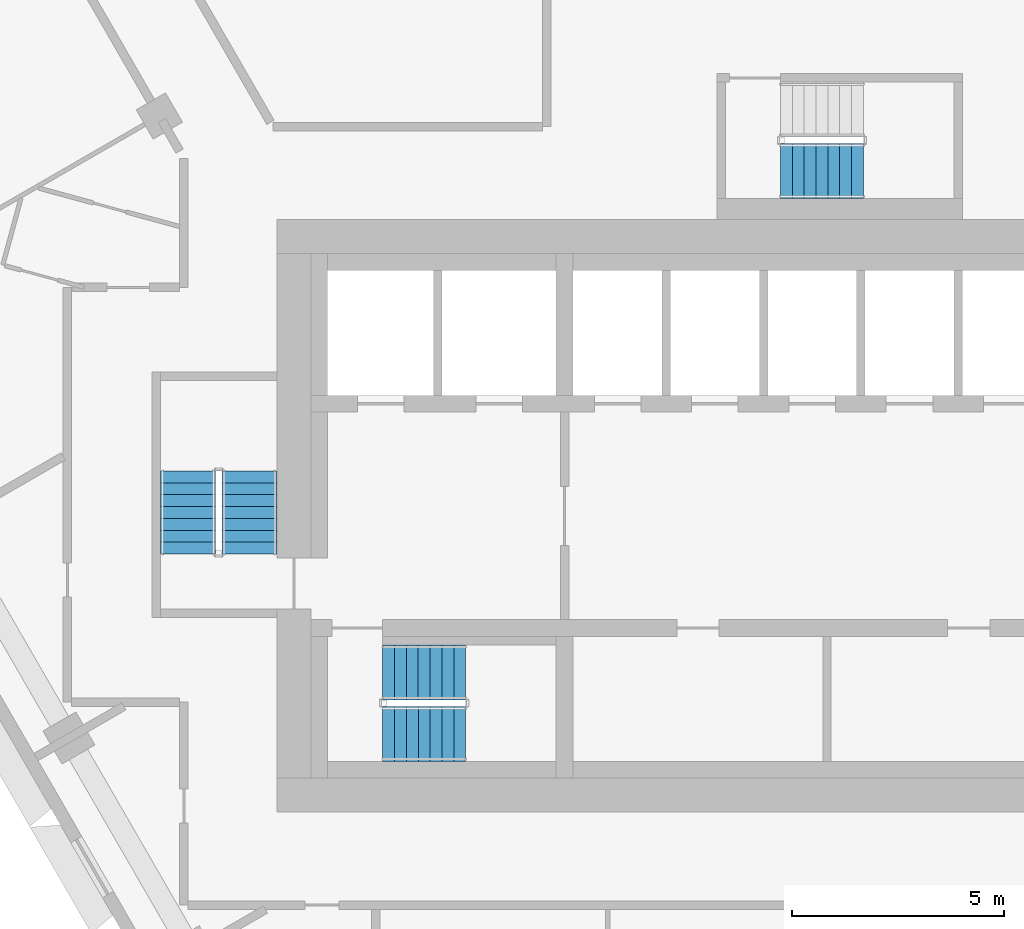
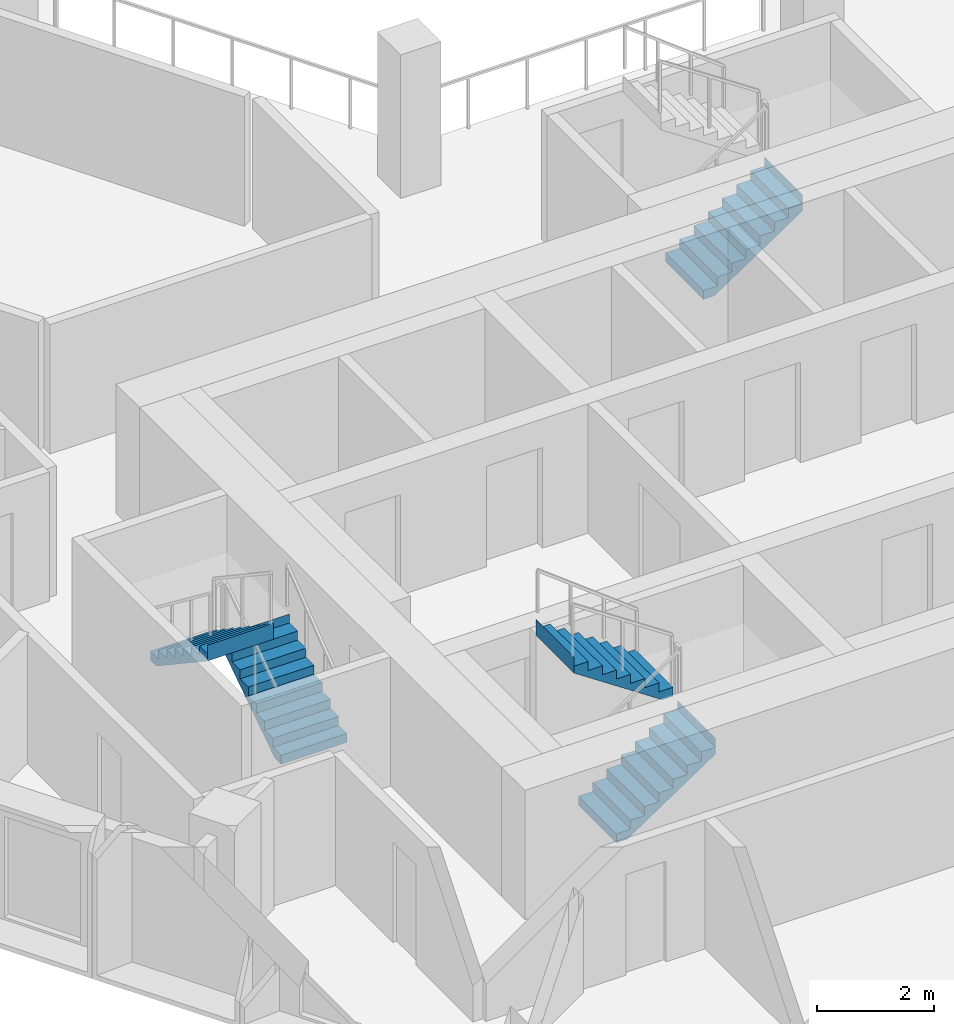
# One storey, part 10 of 15: 5 stair flights, 3 elements without a shape of their own.
"""IFC4 building model written with IfcOpenShell, lengths in metres."""

from ifc_helpers import new_model, si_unit, direction, frame, origin, place, context, subcontext, project, spatial, triangles, material, type_object, element, aggregate, save


model = new_model("IFC4")

# Units and contexts
model_context = context("Model", 3, precision=1e-05, world=origin(), true_north=direction((0.0, 1.0)))
body_context = subcontext(model_context, "Body", "Model", "MODEL_VIEW")
ifc_project = project(units=[si_unit("LENGTHUNIT", "METRE"), si_unit("AREAUNIT", "SQUARE_METRE"), si_unit("VOLUMEUNIT", "CUBIC_METRE"), si_unit("PLANEANGLEUNIT", "RADIAN"), si_unit("MASSUNIT", "GRAM", prefix="KILO")], contexts=[model_context])

# Site, building, storey
site_placement = place(None, origin())
site = spatial("IfcSite", under=ifc_project, at=site_placement, CompositionType="ELEMENT")
building_placement = place(site_placement, origin())
building = spatial("IfcBuilding", under=site, at=building_placement, Name="Beryl Residences", CompositionType="ELEMENT")
storey_placement = place(building_placement, frame((0.0, 0.0, 147.60009765625)))
storey = spatial("IfcBuildingStorey", under=building, at=storey_placement, Name="L45", CompositionType="ELEMENT", Elevation=147.60009765625)

# Stair, stair flights
ifc_material_1 = material(Name="Concrete C40/50", Category="concrete")
stair_type = type_object("IfcStairType", Name="ST1 protected exit stair, half-turn, 1300 mm flights", PredefinedType="HALF_TURN_STAIR", material=ifc_material_1)
stair_1_placement = place(storey_placement, origin())
stair_1 = element("IfcStair", 1, at=stair_1_placement, inside=storey, type_object=stair_type, Name="L45 PROTECTED EXIT STAIR ST-1", PredefinedType="HALF_TURN_STAIR")
ifc_material_2 = material(Name="Concrete C40/50", Category="concrete")
stair_flight_type = type_object("IfcStairFlightType", Name="SF1 stair flight 1300 mm", PredefinedType="STRAIGHT", material=ifc_material_2)
stair_flight_1_placement = place(storey_placement, frame((-10.800048828125, -17.14990234375, 0.0), z_axis=(0.0, 0.0, 1.0), x_axis=(1.0, 0.0, 0.0)))
stair_flight_1 = element("IfcStairFlight", 2, at=stair_flight_1_placement, type_object=stair_flight_type, Name="ST-1 flight 1", NumberOfRisers=8, NumberOfTreads=7, PredefinedType="STRAIGHT", RiserHeight=0.1875, TreadLength=0.28, context=body_context, shape_type="Tessellation", body=[
    triangles([(0.0, -0.64990234375, 0.0), (0.0, -0.324951171875, 0.0), (0.0, 0.0, 0.0), (0.0, 0.324951171875, 0.0), (0.0, 0.64990234375, 0.0), (0.0, -0.64990234375, 0.1875), (0.0, -0.324951171875, 0.1875), (0.0, 0.0, 0.1875), (0.0, 0.324951171875, 0.1875), (0.0, 0.64990234375, 0.1875), (0.280029296875, -0.64990234375, 0.1875), (0.280029296875, -0.324951171875, 0.1875), (0.280029296875, 0.0, 0.1875), (0.280029296875, 0.324951171875, 0.1875), (0.280029296875, 0.64990234375, 0.1875), (0.280029296875, -0.64990234375, 0.375), (0.280029296875, -0.324951171875, 0.375), (0.280029296875, 0.0, 0.375), (0.280029296875, 0.324951171875, 0.375), (0.280029296875, 0.64990234375, 0.375), (0.56005859375, -0.64990234375, 0.375), (0.56005859375, -0.324951171875, 0.375), (0.56005859375, 0.0, 0.375), (0.56005859375, 0.324951171875, 0.375), (0.56005859375, 0.64990234375, 0.375), (0.56005859375, -0.64990234375, 0.5625), (0.56005859375, -0.324951171875, 0.5625), (0.56005859375, 0.0, 0.5625), (0.56005859375, 0.324951171875, 0.5625), (0.56005859375, 0.64990234375, 0.5625), (0.840087890625, -0.64990234375, 0.5625), (0.840087890625, -0.324951171875, 0.5625), (0.840087890625, 0.0, 0.5625), (0.840087890625, 0.324951171875, 0.5625), (0.840087890625, 0.64990234375, 0.5625), (0.840087890625, -0.64990234375, 0.75), (0.840087890625, -0.324951171875, 0.75), (0.840087890625, 0.0, 0.75), (0.840087890625, 0.324951171875, 0.75), (0.840087890625, 0.64990234375, 0.75), (1.1201171875, -0.64990234375, 0.75), (1.1201171875, -0.324951171875, 0.75), (1.1201171875, 0.0, 0.75), (1.1201171875, 0.324951171875, 0.75), (1.1201171875, 0.64990234375, 0.75), (1.1201171875, -0.64990234375, 0.9375), (1.1201171875, -0.324951171875, 0.9375), (1.1201171875, 0.0, 0.9375), (1.1201171875, 0.324951171875, 0.9375), (1.1201171875, 0.64990234375, 0.9375), (1.39990234375, -0.64990234375, 0.9375), (1.39990234375, -0.324951171875, 0.9375), (1.39990234375, 0.0, 0.9375), (1.39990234375, 0.324951171875, 0.9375), (1.39990234375, 0.64990234375, 0.9375), (1.39990234375, -0.64990234375, 1.125), (1.39990234375, -0.324951171875, 1.125), (1.39990234375, 0.0, 1.125), (1.39990234375, 0.324951171875, 1.125), (1.39990234375, 0.64990234375, 1.125), (1.679931640625, -0.64990234375, 1.125), (1.679931640625, -0.324951171875, 1.125), (1.679931640625, 0.0, 1.125), (1.679931640625, 0.324951171875, 1.125), (1.679931640625, 0.64990234375, 1.125), (1.679931640625, -0.64990234375, 1.3125), (1.679931640625, -0.324951171875, 1.3125), (1.679931640625, 0.0, 1.3125), (1.679931640625, 0.324951171875, 1.3125), (1.679931640625, 0.64990234375, 1.3125), (1.9599609375, -0.64990234375, 1.3125), (1.9599609375, -0.324951171875, 1.3125), (1.9599609375, 0.0, 1.3125), (1.9599609375, 0.324951171875, 1.3125), (1.9599609375, 0.64990234375, 1.3125), (1.9599609375, -0.64990234375, 1.5), (1.9599609375, -0.324951171875, 1.5), (1.9599609375, 0.0, 1.5), (1.9599609375, 0.324951171875, 1.5), (1.9599609375, 0.64990234375, 1.5), (1.9609375, -0.64990234375, 1.5), (1.9609375, -0.324951171875, 1.5), (1.9609375, 0.0, 1.5), (1.9609375, 0.324951171875, 1.5), (1.9609375, 0.64990234375, 1.5), (1.9609375, -0.64990234375, 1.16796875), (1.9609375, -0.324951171875, 1.16796875), (1.9609375, 0.0, 1.16796875), (1.9609375, 0.324951171875, 1.16796875), (1.9609375, 0.64990234375, 1.16796875), (0.216796875, -0.64990234375, 0.0), (0.216796875, -0.324951171875, 0.0), (0.216796875, 0.0, 0.0), (0.216796875, 0.324951171875, 0.0), (0.216796875, 0.64990234375, 0.0)], [[1, 6, 7], [1, 7, 2], [2, 7, 8], [2, 8, 3], [3, 8, 9], [3, 9, 4], [4, 9, 10], [4, 10, 5], [6, 11, 12], [6, 12, 7], [7, 12, 13], [7, 13, 8], [8, 13, 14], [8, 14, 9], [9, 14, 15], [9, 15, 10], [11, 16, 17], [11, 17, 12], [12, 17, 18], [12, 18, 13], [13, 18, 19], [13, 19, 14], [14, 19, 20], [14, 20, 15], [16, 21, 22], [16, 22, 17], [17, 22, 23], [17, 23, 18], [18, 23, 24], [18, 24, 19], [19, 24, 25], [19, 25, 20], [21, 26, 27], [21, 27, 22], [22, 27, 28], [22, 28, 23], [23, 28, 29], [23, 29, 24], [24, 29, 30], [24, 30, 25], [26, 31, 32], [26, 32, 27], [27, 32, 33], [27, 33, 28], [28, 33, 34], [28, 34, 29], [29, 34, 35], [29, 35, 30], [31, 36, 37], [31, 37, 32], [32, 37, 38], [32, 38, 33], [33, 38, 39], [33, 39, 34], [34, 39, 40], [34, 40, 35], [36, 41, 42], [36, 42, 37], [37, 42, 43], [37, 43, 38], [38, 43, 44], [38, 44, 39], [39, 44, 45], [39, 45, 40], [41, 46, 47], [41, 47, 42], [42, 47, 48], [42, 48, 43], [43, 48, 49], [43, 49, 44], [44, 49, 50], [44, 50, 45], [46, 51, 52], [46, 52, 47], [47, 52, 53], [47, 53, 48], [48, 53, 54], [48, 54, 49], [49, 54, 55], [49, 55, 50], [51, 56, 57], [51, 57, 52], [52, 57, 58], [52, 58, 53], [53, 58, 59], [53, 59, 54], [54, 59, 60], [54, 60, 55], [56, 61, 62], [56, 62, 57], [57, 62, 63], [57, 63, 58], [58, 63, 64], [58, 64, 59], [59, 64, 65], [59, 65, 60], [61, 66, 67], [61, 67, 62], [62, 67, 68], [62, 68, 63], [63, 68, 69], [63, 69, 64], [64, 69, 70], [64, 70, 65], [66, 71, 72], [66, 72, 67], [67, 72, 73], [67, 73, 68], [68, 73, 74], [68, 74, 69], [69, 74, 75], [69, 75, 70], [71, 76, 77], [71, 77, 72], [72, 77, 78], [72, 78, 73], [73, 78, 79], [73, 79, 74], [74, 79, 80], [74, 80, 75], [76, 81, 82], [76, 82, 77], [77, 82, 83], [77, 83, 78], [78, 83, 84], [78, 84, 79], [79, 84, 85], [79, 85, 80], [81, 86, 87], [81, 87, 82], [82, 87, 88], [82, 88, 83], [83, 88, 89], [83, 89, 84], [84, 89, 90], [84, 90, 85], [86, 91, 92], [86, 92, 87], [87, 92, 93], [87, 93, 88], [88, 93, 94], [88, 94, 89], [89, 94, 95], [89, 95, 90], [91, 1, 2], [91, 2, 92], [92, 2, 3], [92, 3, 93], [93, 3, 4], [93, 4, 94], [94, 4, 5], [94, 5, 95], [1, 91, 86], [5, 90, 95], [86, 81, 76], [90, 80, 85], [86, 76, 71], [90, 75, 80], [86, 71, 66], [90, 70, 75], [86, 66, 61], [90, 65, 70], [61, 56, 51], [65, 55, 60], [86, 61, 51], [90, 55, 65], [51, 46, 41], [55, 45, 50], [86, 51, 41], [90, 45, 55], [41, 36, 31], [45, 35, 40], [86, 41, 31], [90, 35, 45], [31, 26, 21], [35, 25, 30], [86, 31, 21], [90, 25, 35], [21, 16, 11], [25, 15, 20], [86, 21, 11], [90, 15, 25], [1, 86, 11], [5, 15, 90], [11, 6, 1], [15, 5, 10]], closed=True),
])
stair_flight_2_placement = place(storey_placement, frame((-8.840087890625, -15.699951171875, 1.5), z_axis=(0.0, 0.0, 1.0), x_axis=(-1.0, 0.0, 0.0)))
stair_flight_2 = element("IfcStairFlight", 3, at=stair_flight_2_placement, type_object=stair_flight_type, Name="ST-1 flight 2", NumberOfRisers=8, NumberOfTreads=7, PredefinedType="STRAIGHT", RiserHeight=0.1875, TreadLength=0.28, context=body_context, shape_type="Tessellation", body=[
    triangles([(0.0, -0.64990234375, 0.0), (0.0, -0.324951171875, 0.0), (0.0, 0.0, 0.0), (0.0, 0.324951171875, 0.0), (0.0, 0.64990234375, 0.0), (0.0, -0.64990234375, 0.1875), (0.0, -0.324951171875, 0.1875), (0.0, 0.0, 0.1875), (0.0, 0.324951171875, 0.1875), (0.0, 0.64990234375, 0.1875), (0.280029296875, -0.64990234375, 0.1875), (0.280029296875, -0.324951171875, 0.1875), (0.280029296875, 0.0, 0.1875), (0.280029296875, 0.324951171875, 0.1875), (0.280029296875, 0.64990234375, 0.1875), (0.280029296875, -0.64990234375, 0.375), (0.280029296875, -0.324951171875, 0.375), (0.280029296875, 0.0, 0.375), (0.280029296875, 0.324951171875, 0.375), (0.280029296875, 0.64990234375, 0.375), (0.56005859375, -0.64990234375, 0.375), (0.56005859375, -0.324951171875, 0.375), (0.56005859375, 0.0, 0.375), (0.56005859375, 0.324951171875, 0.375), (0.56005859375, 0.64990234375, 0.375), (0.56005859375, -0.64990234375, 0.5625), (0.56005859375, -0.324951171875, 0.5625), (0.56005859375, 0.0, 0.5625), (0.56005859375, 0.324951171875, 0.5625), (0.56005859375, 0.64990234375, 0.5625), (0.840087890625, -0.64990234375, 0.5625), (0.840087890625, -0.324951171875, 0.5625), (0.840087890625, 0.0, 0.5625), (0.840087890625, 0.324951171875, 0.5625), (0.840087890625, 0.64990234375, 0.5625), (0.840087890625, -0.64990234375, 0.75), (0.840087890625, -0.324951171875, 0.75), (0.840087890625, 0.0, 0.75), (0.840087890625, 0.324951171875, 0.75), (0.840087890625, 0.64990234375, 0.75), (1.1201171875, -0.64990234375, 0.75), (1.1201171875, -0.324951171875, 0.75), (1.1201171875, 0.0, 0.75), (1.1201171875, 0.324951171875, 0.75), (1.1201171875, 0.64990234375, 0.75), (1.1201171875, -0.64990234375, 0.9375), (1.1201171875, -0.324951171875, 0.9375), (1.1201171875, 0.0, 0.9375), (1.1201171875, 0.324951171875, 0.9375), (1.1201171875, 0.64990234375, 0.9375), (1.39990234375, -0.64990234375, 0.9375), (1.39990234375, -0.324951171875, 0.9375), (1.39990234375, 0.0, 0.9375), (1.39990234375, 0.324951171875, 0.9375), (1.39990234375, 0.64990234375, 0.9375), (1.39990234375, -0.64990234375, 1.125), (1.39990234375, -0.324951171875, 1.125), (1.39990234375, 0.0, 1.125), (1.39990234375, 0.324951171875, 1.125), (1.39990234375, 0.64990234375, 1.125), (1.679931640625, -0.64990234375, 1.125), (1.679931640625, -0.324951171875, 1.125), (1.679931640625, 0.0, 1.125), (1.679931640625, 0.324951171875, 1.125), (1.679931640625, 0.64990234375, 1.125), (1.679931640625, -0.64990234375, 1.3125), (1.679931640625, -0.324951171875, 1.3125), (1.679931640625, 0.0, 1.3125), (1.679931640625, 0.324951171875, 1.3125), (1.679931640625, 0.64990234375, 1.3125), (1.9599609375, -0.64990234375, 1.3125), (1.9599609375, -0.324951171875, 1.3125), (1.9599609375, 0.0, 1.3125), (1.9599609375, 0.324951171875, 1.3125), (1.9599609375, 0.64990234375, 1.3125), (1.9599609375, -0.64990234375, 1.5), (1.9599609375, -0.324951171875, 1.5), (1.9599609375, 0.0, 1.5), (1.9599609375, 0.324951171875, 1.5), (1.9599609375, 0.64990234375, 1.5), (1.9609375, -0.64990234375, 1.5), (1.9609375, -0.324951171875, 1.5), (1.9609375, 0.0, 1.5), (1.9609375, 0.324951171875, 1.5), (1.9609375, 0.64990234375, 1.5), (1.9609375, -0.64990234375, 1.16796875), (1.9609375, -0.324951171875, 1.16796875), (1.9609375, 0.0, 1.16796875), (1.9609375, 0.324951171875, 1.16796875), (1.9609375, 0.64990234375, 1.16796875), (0.216796875, -0.64990234375, 0.0), (0.216796875, -0.324951171875, 0.0), (0.216796875, 0.0, 0.0), (0.216796875, 0.324951171875, 0.0), (0.216796875, 0.64990234375, 0.0)], [[1, 6, 7], [1, 7, 2], [2, 7, 8], [2, 8, 3], [3, 8, 9], [3, 9, 4], [4, 9, 10], [4, 10, 5], [6, 11, 12], [6, 12, 7], [7, 12, 13], [7, 13, 8], [8, 13, 14], [8, 14, 9], [9, 14, 15], [9, 15, 10], [11, 16, 17], [11, 17, 12], [12, 17, 18], [12, 18, 13], [13, 18, 19], [13, 19, 14], [14, 19, 20], [14, 20, 15], [16, 21, 22], [16, 22, 17], [17, 22, 23], [17, 23, 18], [18, 23, 24], [18, 24, 19], [19, 24, 25], [19, 25, 20], [21, 26, 27], [21, 27, 22], [22, 27, 28], [22, 28, 23], [23, 28, 29], [23, 29, 24], [24, 29, 30], [24, 30, 25], [26, 31, 32], [26, 32, 27], [27, 32, 33], [27, 33, 28], [28, 33, 34], [28, 34, 29], [29, 34, 35], [29, 35, 30], [31, 36, 37], [31, 37, 32], [32, 37, 38], [32, 38, 33], [33, 38, 39], [33, 39, 34], [34, 39, 40], [34, 40, 35], [36, 41, 42], [36, 42, 37], [37, 42, 43], [37, 43, 38], [38, 43, 44], [38, 44, 39], [39, 44, 45], [39, 45, 40], [41, 46, 47], [41, 47, 42], [42, 47, 48], [42, 48, 43], [43, 48, 49], [43, 49, 44], [44, 49, 50], [44, 50, 45], [46, 51, 52], [46, 52, 47], [47, 52, 53], [47, 53, 48], [48, 53, 54], [48, 54, 49], [49, 54, 55], [49, 55, 50], [51, 56, 57], [51, 57, 52], [52, 57, 58], [52, 58, 53], [53, 58, 59], [53, 59, 54], [54, 59, 60], [54, 60, 55], [56, 61, 62], [56, 62, 57], [57, 62, 63], [57, 63, 58], [58, 63, 64], [58, 64, 59], [59, 64, 65], [59, 65, 60], [61, 66, 67], [61, 67, 62], [62, 67, 68], [62, 68, 63], [63, 68, 69], [63, 69, 64], [64, 69, 70], [64, 70, 65], [66, 71, 72], [66, 72, 67], [67, 72, 73], [67, 73, 68], [68, 73, 74], [68, 74, 69], [69, 74, 75], [69, 75, 70], [71, 76, 77], [71, 77, 72], [72, 77, 78], [72, 78, 73], [73, 78, 79], [73, 79, 74], [74, 79, 80], [74, 80, 75], [76, 81, 82], [76, 82, 77], [77, 82, 83], [77, 83, 78], [78, 83, 84], [78, 84, 79], [79, 84, 85], [79, 85, 80], [81, 86, 87], [81, 87, 82], [82, 87, 88], [82, 88, 83], [83, 88, 89], [83, 89, 84], [84, 89, 90], [84, 90, 85], [86, 91, 92], [86, 92, 87], [87, 92, 93], [87, 93, 88], [88, 93, 94], [88, 94, 89], [89, 94, 95], [89, 95, 90], [91, 1, 2], [91, 2, 92], [92, 2, 3], [92, 3, 93], [93, 3, 4], [93, 4, 94], [94, 4, 5], [94, 5, 95], [1, 91, 86], [5, 90, 95], [86, 81, 76], [90, 80, 85], [86, 76, 71], [90, 75, 80], [86, 71, 66], [90, 70, 75], [86, 66, 61], [90, 65, 70], [61, 56, 51], [65, 55, 60], [86, 61, 51], [90, 55, 65], [51, 46, 41], [55, 45, 50], [86, 51, 41], [90, 45, 55], [41, 36, 31], [45, 35, 40], [86, 41, 31], [90, 35, 45], [31, 26, 21], [35, 25, 30], [86, 31, 21], [90, 25, 35], [21, 16, 11], [25, 15, 20], [86, 21, 11], [90, 15, 25], [1, 86, 11], [5, 15, 90], [11, 6, 1], [15, 5, 10]], closed=True),
])
aggregate(stair_1, [stair_flight_1, stair_flight_2])

stair_2_placement = place(storey_placement, origin())
stair_2 = element("IfcStair", 4, at=stair_2_placement, inside=storey, type_object=stair_type, Name="L45 PROTECTED EXIT STAIR ST-2", PredefinedType="HALF_TURN_STAIR")
stair_flight_3_placement = place(storey_placement, frame((-13.949951171875, -12.89990234375, 0.0), z_axis=(0.0, 0.0, 1.0), x_axis=(0.0, 1.0, 0.0)))
stair_flight_3 = element("IfcStairFlight", 5, at=stair_flight_3_placement, type_object=stair_flight_type, Name="ST-2 flight 1", NumberOfRisers=8, NumberOfTreads=7, PredefinedType="STRAIGHT", RiserHeight=0.1875, TreadLength=0.28, context=body_context, shape_type="Tessellation", body=[
    triangles([(0.0, -0.64990234375, 0.0), (0.0, -0.324951171875, 0.0), (0.0, 0.0, 0.0), (0.0, 0.324951171875, 0.0), (0.0, 0.64990234375, 0.0), (0.0, -0.64990234375, 0.1875), (0.0, -0.324951171875, 0.1875), (0.0, 0.0, 0.1875), (0.0, 0.324951171875, 0.1875), (0.0, 0.64990234375, 0.1875), (0.280029296875, -0.64990234375, 0.1875), (0.280029296875, -0.324951171875, 0.1875), (0.280029296875, 0.0, 0.1875), (0.280029296875, 0.324951171875, 0.1875), (0.280029296875, 0.64990234375, 0.1875), (0.280029296875, -0.64990234375, 0.375), (0.280029296875, -0.324951171875, 0.375), (0.280029296875, 0.0, 0.375), (0.280029296875, 0.324951171875, 0.375), (0.280029296875, 0.64990234375, 0.375), (0.56005859375, -0.64990234375, 0.375), (0.56005859375, -0.324951171875, 0.375), (0.56005859375, 0.0, 0.375), (0.56005859375, 0.324951171875, 0.375), (0.56005859375, 0.64990234375, 0.375), (0.56005859375, -0.64990234375, 0.5625), (0.56005859375, -0.324951171875, 0.5625), (0.56005859375, 0.0, 0.5625), (0.56005859375, 0.324951171875, 0.5625), (0.56005859375, 0.64990234375, 0.5625), (0.840087890625, -0.64990234375, 0.5625), (0.840087890625, -0.324951171875, 0.5625), (0.840087890625, 0.0, 0.5625), (0.840087890625, 0.324951171875, 0.5625), (0.840087890625, 0.64990234375, 0.5625), (0.840087890625, -0.64990234375, 0.75), (0.840087890625, -0.324951171875, 0.75), (0.840087890625, 0.0, 0.75), (0.840087890625, 0.324951171875, 0.75), (0.840087890625, 0.64990234375, 0.75), (1.1201171875, -0.64990234375, 0.75), (1.1201171875, -0.324951171875, 0.75), (1.1201171875, 0.0, 0.75), (1.1201171875, 0.324951171875, 0.75), (1.1201171875, 0.64990234375, 0.75), (1.1201171875, -0.64990234375, 0.9375), (1.1201171875, -0.324951171875, 0.9375), (1.1201171875, 0.0, 0.9375), (1.1201171875, 0.324951171875, 0.9375), (1.1201171875, 0.64990234375, 0.9375), (1.39990234375, -0.64990234375, 0.9375), (1.39990234375, -0.324951171875, 0.9375), (1.39990234375, 0.0, 0.9375), (1.39990234375, 0.324951171875, 0.9375), (1.39990234375, 0.64990234375, 0.9375), (1.39990234375, -0.64990234375, 1.125), (1.39990234375, -0.324951171875, 1.125), (1.39990234375, 0.0, 1.125), (1.39990234375, 0.324951171875, 1.125), (1.39990234375, 0.64990234375, 1.125), (1.679931640625, -0.64990234375, 1.125), (1.679931640625, -0.324951171875, 1.125), (1.679931640625, 0.0, 1.125), (1.679931640625, 0.324951171875, 1.125), (1.679931640625, 0.64990234375, 1.125), (1.679931640625, -0.64990234375, 1.3125), (1.679931640625, -0.324951171875, 1.3125), (1.679931640625, 0.0, 1.3125), (1.679931640625, 0.324951171875, 1.3125), (1.679931640625, 0.64990234375, 1.3125), (1.9599609375, -0.64990234375, 1.3125), (1.9599609375, -0.324951171875, 1.3125), (1.9599609375, 0.0, 1.3125), (1.9599609375, 0.324951171875, 1.3125), (1.9599609375, 0.64990234375, 1.3125), (1.9599609375, -0.64990234375, 1.5), (1.9599609375, -0.324951171875, 1.5), (1.9599609375, 0.0, 1.5), (1.9599609375, 0.324951171875, 1.5), (1.9599609375, 0.64990234375, 1.5), (1.9609375, -0.64990234375, 1.5), (1.9609375, -0.324951171875, 1.5), (1.9609375, 0.0, 1.5), (1.9609375, 0.324951171875, 1.5), (1.9609375, 0.64990234375, 1.5), (1.9609375, -0.64990234375, 1.16796875), (1.9609375, -0.324951171875, 1.16796875), (1.9609375, 0.0, 1.16796875), (1.9609375, 0.324951171875, 1.16796875), (1.9609375, 0.64990234375, 1.16796875), (0.216796875, -0.64990234375, 0.0), (0.216796875, -0.324951171875, 0.0), (0.216796875, 0.0, 0.0), (0.216796875, 0.324951171875, 0.0), (0.216796875, 0.64990234375, 0.0)], [[1, 6, 7], [1, 7, 2], [2, 7, 8], [2, 8, 3], [3, 8, 9], [3, 9, 4], [4, 9, 10], [4, 10, 5], [6, 11, 12], [6, 12, 7], [7, 12, 13], [7, 13, 8], [8, 13, 14], [8, 14, 9], [9, 14, 15], [9, 15, 10], [11, 16, 17], [11, 17, 12], [12, 17, 18], [12, 18, 13], [13, 18, 19], [13, 19, 14], [14, 19, 20], [14, 20, 15], [16, 21, 22], [16, 22, 17], [17, 22, 23], [17, 23, 18], [18, 23, 24], [18, 24, 19], [19, 24, 25], [19, 25, 20], [21, 26, 27], [21, 27, 22], [22, 27, 28], [22, 28, 23], [23, 28, 29], [23, 29, 24], [24, 29, 30], [24, 30, 25], [26, 31, 32], [26, 32, 27], [27, 32, 33], [27, 33, 28], [28, 33, 34], [28, 34, 29], [29, 34, 35], [29, 35, 30], [31, 36, 37], [31, 37, 32], [32, 37, 38], [32, 38, 33], [33, 38, 39], [33, 39, 34], [34, 39, 40], [34, 40, 35], [36, 41, 42], [36, 42, 37], [37, 42, 43], [37, 43, 38], [38, 43, 44], [38, 44, 39], [39, 44, 45], [39, 45, 40], [41, 46, 47], [41, 47, 42], [42, 47, 48], [42, 48, 43], [43, 48, 49], [43, 49, 44], [44, 49, 50], [44, 50, 45], [46, 51, 52], [46, 52, 47], [47, 52, 53], [47, 53, 48], [48, 53, 54], [48, 54, 49], [49, 54, 55], [49, 55, 50], [51, 56, 57], [51, 57, 52], [52, 57, 58], [52, 58, 53], [53, 58, 59], [53, 59, 54], [54, 59, 60], [54, 60, 55], [56, 61, 62], [56, 62, 57], [57, 62, 63], [57, 63, 58], [58, 63, 64], [58, 64, 59], [59, 64, 65], [59, 65, 60], [61, 66, 67], [61, 67, 62], [62, 67, 68], [62, 68, 63], [63, 68, 69], [63, 69, 64], [64, 69, 70], [64, 70, 65], [66, 71, 72], [66, 72, 67], [67, 72, 73], [67, 73, 68], [68, 73, 74], [68, 74, 69], [69, 74, 75], [69, 75, 70], [71, 76, 77], [71, 77, 72], [72, 77, 78], [72, 78, 73], [73, 78, 79], [73, 79, 74], [74, 79, 80], [74, 80, 75], [76, 81, 82], [76, 82, 77], [77, 82, 83], [77, 83, 78], [78, 83, 84], [78, 84, 79], [79, 84, 85], [79, 85, 80], [81, 86, 87], [81, 87, 82], [82, 87, 88], [82, 88, 83], [83, 88, 89], [83, 89, 84], [84, 89, 90], [84, 90, 85], [86, 91, 92], [86, 92, 87], [87, 92, 93], [87, 93, 88], [88, 93, 94], [88, 94, 89], [89, 94, 95], [89, 95, 90], [91, 1, 2], [91, 2, 92], [92, 2, 3], [92, 3, 93], [93, 3, 4], [93, 4, 94], [94, 4, 5], [94, 5, 95], [1, 91, 86], [5, 90, 95], [86, 81, 76], [90, 80, 85], [86, 76, 71], [90, 75, 80], [86, 71, 66], [90, 70, 75], [86, 66, 61], [90, 65, 70], [61, 56, 51], [65, 55, 60], [86, 61, 51], [90, 55, 65], [51, 46, 41], [55, 45, 50], [86, 51, 41], [90, 45, 55], [41, 36, 31], [45, 35, 40], [86, 41, 31], [90, 35, 45], [31, 26, 21], [35, 25, 30], [86, 31, 21], [90, 25, 35], [21, 16, 11], [25, 15, 20], [86, 21, 11], [90, 15, 25], [1, 86, 11], [5, 15, 90], [11, 6, 1], [15, 5, 10]], closed=True),
])
stair_flight_4_placement = place(storey_placement, frame((-15.39990234375, -10.93994140625, 1.5), z_axis=(0.0, 0.0, 1.0), x_axis=(0.0, -1.0, 0.0)))
stair_flight_4 = element("IfcStairFlight", 6, at=stair_flight_4_placement, type_object=stair_flight_type, Name="ST-2 flight 2", NumberOfRisers=8, NumberOfTreads=7, PredefinedType="STRAIGHT", RiserHeight=0.1875, TreadLength=0.28, context=body_context, shape_type="Tessellation", body=[
    triangles([(0.0, -0.64990234375, 0.0), (0.0, -0.324951171875, 0.0), (0.0, 0.0, 0.0), (0.0, 0.324951171875, 0.0), (0.0, 0.64990234375, 0.0), (0.0, -0.64990234375, 0.1875), (0.0, -0.324951171875, 0.1875), (0.0, 0.0, 0.1875), (0.0, 0.324951171875, 0.1875), (0.0, 0.64990234375, 0.1875), (0.280029296875, -0.64990234375, 0.1875), (0.280029296875, -0.324951171875, 0.1875), (0.280029296875, 0.0, 0.1875), (0.280029296875, 0.324951171875, 0.1875), (0.280029296875, 0.64990234375, 0.1875), (0.280029296875, -0.64990234375, 0.375), (0.280029296875, -0.324951171875, 0.375), (0.280029296875, 0.0, 0.375), (0.280029296875, 0.324951171875, 0.375), (0.280029296875, 0.64990234375, 0.375), (0.56005859375, -0.64990234375, 0.375), (0.56005859375, -0.324951171875, 0.375), (0.56005859375, 0.0, 0.375), (0.56005859375, 0.324951171875, 0.375), (0.56005859375, 0.64990234375, 0.375), (0.56005859375, -0.64990234375, 0.5625), (0.56005859375, -0.324951171875, 0.5625), (0.56005859375, 0.0, 0.5625), (0.56005859375, 0.324951171875, 0.5625), (0.56005859375, 0.64990234375, 0.5625), (0.840087890625, -0.64990234375, 0.5625), (0.840087890625, -0.324951171875, 0.5625), (0.840087890625, 0.0, 0.5625), (0.840087890625, 0.324951171875, 0.5625), (0.840087890625, 0.64990234375, 0.5625), (0.840087890625, -0.64990234375, 0.75), (0.840087890625, -0.324951171875, 0.75), (0.840087890625, 0.0, 0.75), (0.840087890625, 0.324951171875, 0.75), (0.840087890625, 0.64990234375, 0.75), (1.1201171875, -0.64990234375, 0.75), (1.1201171875, -0.324951171875, 0.75), (1.1201171875, 0.0, 0.75), (1.1201171875, 0.324951171875, 0.75), (1.1201171875, 0.64990234375, 0.75), (1.1201171875, -0.64990234375, 0.9375), (1.1201171875, -0.324951171875, 0.9375), (1.1201171875, 0.0, 0.9375), (1.1201171875, 0.324951171875, 0.9375), (1.1201171875, 0.64990234375, 0.9375), (1.39990234375, -0.64990234375, 0.9375), (1.39990234375, -0.324951171875, 0.9375), (1.39990234375, 0.0, 0.9375), (1.39990234375, 0.324951171875, 0.9375), (1.39990234375, 0.64990234375, 0.9375), (1.39990234375, -0.64990234375, 1.125), (1.39990234375, -0.324951171875, 1.125), (1.39990234375, 0.0, 1.125), (1.39990234375, 0.324951171875, 1.125), (1.39990234375, 0.64990234375, 1.125), (1.679931640625, -0.64990234375, 1.125), (1.679931640625, -0.324951171875, 1.125), (1.679931640625, 0.0, 1.125), (1.679931640625, 0.324951171875, 1.125), (1.679931640625, 0.64990234375, 1.125), (1.679931640625, -0.64990234375, 1.3125), (1.679931640625, -0.324951171875, 1.3125), (1.679931640625, 0.0, 1.3125), (1.679931640625, 0.324951171875, 1.3125), (1.679931640625, 0.64990234375, 1.3125), (1.9599609375, -0.64990234375, 1.3125), (1.9599609375, -0.324951171875, 1.3125), (1.9599609375, 0.0, 1.3125), (1.9599609375, 0.324951171875, 1.3125), (1.9599609375, 0.64990234375, 1.3125), (1.9599609375, -0.64990234375, 1.5), (1.9599609375, -0.324951171875, 1.5), (1.9599609375, 0.0, 1.5), (1.9599609375, 0.324951171875, 1.5), (1.9599609375, 0.64990234375, 1.5), (1.9609375, -0.64990234375, 1.5), (1.9609375, -0.324951171875, 1.5), (1.9609375, 0.0, 1.5), (1.9609375, 0.324951171875, 1.5), (1.9609375, 0.64990234375, 1.5), (1.9609375, -0.64990234375, 1.16796875), (1.9609375, -0.324951171875, 1.16796875), (1.9609375, 0.0, 1.16796875), (1.9609375, 0.324951171875, 1.16796875), (1.9609375, 0.64990234375, 1.16796875), (0.216796875, -0.64990234375, 0.0), (0.216796875, -0.324951171875, 0.0), (0.216796875, 0.0, 0.0), (0.216796875, 0.324951171875, 0.0), (0.216796875, 0.64990234375, 0.0)], [[1, 6, 7], [1, 7, 2], [2, 7, 8], [2, 8, 3], [3, 8, 9], [3, 9, 4], [4, 9, 10], [4, 10, 5], [6, 11, 12], [6, 12, 7], [7, 12, 13], [7, 13, 8], [8, 13, 14], [8, 14, 9], [9, 14, 15], [9, 15, 10], [11, 16, 17], [11, 17, 12], [12, 17, 18], [12, 18, 13], [13, 18, 19], [13, 19, 14], [14, 19, 20], [14, 20, 15], [16, 21, 22], [16, 22, 17], [17, 22, 23], [17, 23, 18], [18, 23, 24], [18, 24, 19], [19, 24, 25], [19, 25, 20], [21, 26, 27], [21, 27, 22], [22, 27, 28], [22, 28, 23], [23, 28, 29], [23, 29, 24], [24, 29, 30], [24, 30, 25], [26, 31, 32], [26, 32, 27], [27, 32, 33], [27, 33, 28], [28, 33, 34], [28, 34, 29], [29, 34, 35], [29, 35, 30], [31, 36, 37], [31, 37, 32], [32, 37, 38], [32, 38, 33], [33, 38, 39], [33, 39, 34], [34, 39, 40], [34, 40, 35], [36, 41, 42], [36, 42, 37], [37, 42, 43], [37, 43, 38], [38, 43, 44], [38, 44, 39], [39, 44, 45], [39, 45, 40], [41, 46, 47], [41, 47, 42], [42, 47, 48], [42, 48, 43], [43, 48, 49], [43, 49, 44], [44, 49, 50], [44, 50, 45], [46, 51, 52], [46, 52, 47], [47, 52, 53], [47, 53, 48], [48, 53, 54], [48, 54, 49], [49, 54, 55], [49, 55, 50], [51, 56, 57], [51, 57, 52], [52, 57, 58], [52, 58, 53], [53, 58, 59], [53, 59, 54], [54, 59, 60], [54, 60, 55], [56, 61, 62], [56, 62, 57], [57, 62, 63], [57, 63, 58], [58, 63, 64], [58, 64, 59], [59, 64, 65], [59, 65, 60], [61, 66, 67], [61, 67, 62], [62, 67, 68], [62, 68, 63], [63, 68, 69], [63, 69, 64], [64, 69, 70], [64, 70, 65], [66, 71, 72], [66, 72, 67], [67, 72, 73], [67, 73, 68], [68, 73, 74], [68, 74, 69], [69, 74, 75], [69, 75, 70], [71, 76, 77], [71, 77, 72], [72, 77, 78], [72, 78, 73], [73, 78, 79], [73, 79, 74], [74, 79, 80], [74, 80, 75], [76, 81, 82], [76, 82, 77], [77, 82, 83], [77, 83, 78], [78, 83, 84], [78, 84, 79], [79, 84, 85], [79, 85, 80], [81, 86, 87], [81, 87, 82], [82, 87, 88], [82, 88, 83], [83, 88, 89], [83, 89, 84], [84, 89, 90], [84, 90, 85], [86, 91, 92], [86, 92, 87], [87, 92, 93], [87, 93, 88], [88, 93, 94], [88, 94, 89], [89, 94, 95], [89, 95, 90], [91, 1, 2], [91, 2, 92], [92, 2, 3], [92, 3, 93], [93, 3, 4], [93, 4, 94], [94, 4, 5], [94, 5, 95], [1, 91, 86], [5, 90, 95], [86, 81, 76], [90, 80, 85], [86, 76, 71], [90, 75, 80], [86, 71, 66], [90, 70, 75], [86, 66, 61], [90, 65, 70], [61, 56, 51], [65, 55, 60], [86, 61, 51], [90, 55, 65], [51, 46, 41], [55, 45, 50], [86, 51, 41], [90, 45, 55], [41, 36, 31], [45, 35, 40], [86, 41, 31], [90, 35, 45], [31, 26, 21], [35, 25, 30], [86, 31, 21], [90, 25, 35], [21, 16, 11], [25, 15, 20], [86, 21, 11], [90, 15, 25], [1, 86, 11], [5, 15, 90], [11, 6, 1], [15, 5, 10]], closed=True),
])
aggregate(stair_2, [stair_flight_3, stair_flight_4])

# Stair, stair flight
stair_3_placement = place(storey_placement, origin())
stair_3 = element("IfcStair", 7, at=stair_3_placement, inside=storey, type_object=stair_type, Name="L45 PROTECTED EXIT STAIR ST-4", PredefinedType="HALF_TURN_STAIR")
stair_flight_5_placement = place(storey_placement, frame((-1.39990234375, -3.85009765625, 0.0), z_axis=(0.0, 0.0, 1.0), x_axis=(1.0, 0.0, 0.0)))
stair_flight_5 = element("IfcStairFlight", 8, at=stair_flight_5_placement, type_object=stair_flight_type, Name="ST-4 flight 1", NumberOfRisers=8, NumberOfTreads=7, PredefinedType="STRAIGHT", RiserHeight=0.1875, TreadLength=0.28, context=body_context, shape_type="Tessellation", body=[
    triangles([(0.0, -0.64990234375, 0.0), (0.0, -0.324951171875, 0.0), (0.0, 0.0, 0.0), (0.0, 0.324951171875, 0.0), (0.0, 0.64990234375, 0.0), (0.0, -0.64990234375, 0.1875), (0.0, -0.324951171875, 0.1875), (0.0, 0.0, 0.1875), (0.0, 0.324951171875, 0.1875), (0.0, 0.64990234375, 0.1875), (0.280029296875, -0.64990234375, 0.1875), (0.280029296875, -0.324951171875, 0.1875), (0.280029296875, 0.0, 0.1875), (0.280029296875, 0.324951171875, 0.1875), (0.280029296875, 0.64990234375, 0.1875), (0.280029296875, -0.64990234375, 0.375), (0.280029296875, -0.324951171875, 0.375), (0.280029296875, 0.0, 0.375), (0.280029296875, 0.324951171875, 0.375), (0.280029296875, 0.64990234375, 0.375), (0.56005859375, -0.64990234375, 0.375), (0.56005859375, -0.324951171875, 0.375), (0.56005859375, 0.0, 0.375), (0.56005859375, 0.324951171875, 0.375), (0.56005859375, 0.64990234375, 0.375), (0.56005859375, -0.64990234375, 0.5625), (0.56005859375, -0.324951171875, 0.5625), (0.56005859375, 0.0, 0.5625), (0.56005859375, 0.324951171875, 0.5625), (0.56005859375, 0.64990234375, 0.5625), (0.840087890625, -0.64990234375, 0.5625), (0.840087890625, -0.324951171875, 0.5625), (0.840087890625, 0.0, 0.5625), (0.840087890625, 0.324951171875, 0.5625), (0.840087890625, 0.64990234375, 0.5625), (0.840087890625, -0.64990234375, 0.75), (0.840087890625, -0.324951171875, 0.75), (0.840087890625, 0.0, 0.75), (0.840087890625, 0.324951171875, 0.75), (0.840087890625, 0.64990234375, 0.75), (1.1201171875, -0.64990234375, 0.75), (1.1201171875, -0.324951171875, 0.75), (1.1201171875, 0.0, 0.75), (1.1201171875, 0.324951171875, 0.75), (1.1201171875, 0.64990234375, 0.75), (1.1201171875, -0.64990234375, 0.9375), (1.1201171875, -0.324951171875, 0.9375), (1.1201171875, 0.0, 0.9375), (1.1201171875, 0.324951171875, 0.9375), (1.1201171875, 0.64990234375, 0.9375), (1.39990234375, -0.64990234375, 0.9375), (1.39990234375, -0.324951171875, 0.9375), (1.39990234375, 0.0, 0.9375), (1.39990234375, 0.324951171875, 0.9375), (1.39990234375, 0.64990234375, 0.9375), (1.39990234375, -0.64990234375, 1.125), (1.39990234375, -0.324951171875, 1.125), (1.39990234375, 0.0, 1.125), (1.39990234375, 0.324951171875, 1.125), (1.39990234375, 0.64990234375, 1.125), (1.679931640625, -0.64990234375, 1.125), (1.679931640625, -0.324951171875, 1.125), (1.679931640625, 0.0, 1.125), (1.679931640625, 0.324951171875, 1.125), (1.679931640625, 0.64990234375, 1.125), (1.679931640625, -0.64990234375, 1.3125), (1.679931640625, -0.324951171875, 1.3125), (1.679931640625, 0.0, 1.3125), (1.679931640625, 0.324951171875, 1.3125), (1.679931640625, 0.64990234375, 1.3125), (1.9599609375, -0.64990234375, 1.3125), (1.9599609375, -0.324951171875, 1.3125), (1.9599609375, 0.0, 1.3125), (1.9599609375, 0.324951171875, 1.3125), (1.9599609375, 0.64990234375, 1.3125), (1.9599609375, -0.64990234375, 1.5), (1.9599609375, -0.324951171875, 1.5), (1.9599609375, 0.0, 1.5), (1.9599609375, 0.324951171875, 1.5), (1.9599609375, 0.64990234375, 1.5), (1.9609375, -0.64990234375, 1.5), (1.9609375, -0.324951171875, 1.5), (1.9609375, 0.0, 1.5), (1.9609375, 0.324951171875, 1.5), (1.9609375, 0.64990234375, 1.5), (1.9609375, -0.64990234375, 1.16796875), (1.9609375, -0.324951171875, 1.16796875), (1.9609375, 0.0, 1.16796875), (1.9609375, 0.324951171875, 1.16796875), (1.9609375, 0.64990234375, 1.16796875), (0.216796875, -0.64990234375, 0.0), (0.216796875, -0.324951171875, 0.0), (0.216796875, 0.0, 0.0), (0.216796875, 0.324951171875, 0.0), (0.216796875, 0.64990234375, 0.0)], [[1, 6, 7], [1, 7, 2], [2, 7, 8], [2, 8, 3], [3, 8, 9], [3, 9, 4], [4, 9, 10], [4, 10, 5], [6, 11, 12], [6, 12, 7], [7, 12, 13], [7, 13, 8], [8, 13, 14], [8, 14, 9], [9, 14, 15], [9, 15, 10], [11, 16, 17], [11, 17, 12], [12, 17, 18], [12, 18, 13], [13, 18, 19], [13, 19, 14], [14, 19, 20], [14, 20, 15], [16, 21, 22], [16, 22, 17], [17, 22, 23], [17, 23, 18], [18, 23, 24], [18, 24, 19], [19, 24, 25], [19, 25, 20], [21, 26, 27], [21, 27, 22], [22, 27, 28], [22, 28, 23], [23, 28, 29], [23, 29, 24], [24, 29, 30], [24, 30, 25], [26, 31, 32], [26, 32, 27], [27, 32, 33], [27, 33, 28], [28, 33, 34], [28, 34, 29], [29, 34, 35], [29, 35, 30], [31, 36, 37], [31, 37, 32], [32, 37, 38], [32, 38, 33], [33, 38, 39], [33, 39, 34], [34, 39, 40], [34, 40, 35], [36, 41, 42], [36, 42, 37], [37, 42, 43], [37, 43, 38], [38, 43, 44], [38, 44, 39], [39, 44, 45], [39, 45, 40], [41, 46, 47], [41, 47, 42], [42, 47, 48], [42, 48, 43], [43, 48, 49], [43, 49, 44], [44, 49, 50], [44, 50, 45], [46, 51, 52], [46, 52, 47], [47, 52, 53], [47, 53, 48], [48, 53, 54], [48, 54, 49], [49, 54, 55], [49, 55, 50], [51, 56, 57], [51, 57, 52], [52, 57, 58], [52, 58, 53], [53, 58, 59], [53, 59, 54], [54, 59, 60], [54, 60, 55], [56, 61, 62], [56, 62, 57], [57, 62, 63], [57, 63, 58], [58, 63, 64], [58, 64, 59], [59, 64, 65], [59, 65, 60], [61, 66, 67], [61, 67, 62], [62, 67, 68], [62, 68, 63], [63, 68, 69], [63, 69, 64], [64, 69, 70], [64, 70, 65], [66, 71, 72], [66, 72, 67], [67, 72, 73], [67, 73, 68], [68, 73, 74], [68, 74, 69], [69, 74, 75], [69, 75, 70], [71, 76, 77], [71, 77, 72], [72, 77, 78], [72, 78, 73], [73, 78, 79], [73, 79, 74], [74, 79, 80], [74, 80, 75], [76, 81, 82], [76, 82, 77], [77, 82, 83], [77, 83, 78], [78, 83, 84], [78, 84, 79], [79, 84, 85], [79, 85, 80], [81, 86, 87], [81, 87, 82], [82, 87, 88], [82, 88, 83], [83, 88, 89], [83, 89, 84], [84, 89, 90], [84, 90, 85], [86, 91, 92], [86, 92, 87], [87, 92, 93], [87, 93, 88], [88, 93, 94], [88, 94, 89], [89, 94, 95], [89, 95, 90], [91, 1, 2], [91, 2, 92], [92, 2, 3], [92, 3, 93], [93, 3, 4], [93, 4, 94], [94, 4, 5], [94, 5, 95], [1, 91, 86], [5, 90, 95], [86, 81, 76], [90, 80, 85], [86, 76, 71], [90, 75, 80], [86, 71, 66], [90, 70, 75], [86, 66, 61], [90, 65, 70], [61, 56, 51], [65, 55, 60], [86, 61, 51], [90, 55, 65], [51, 46, 41], [55, 45, 50], [86, 51, 41], [90, 45, 55], [41, 36, 31], [45, 35, 40], [86, 41, 31], [90, 35, 45], [31, 26, 21], [35, 25, 30], [86, 31, 21], [90, 25, 35], [21, 16, 11], [25, 15, 20], [86, 21, 11], [90, 15, 25], [1, 86, 11], [5, 15, 90], [11, 6, 1], [15, 5, 10]], closed=True),
])
aggregate(stair_3, [stair_flight_5])

save(model, "model.ifc")
